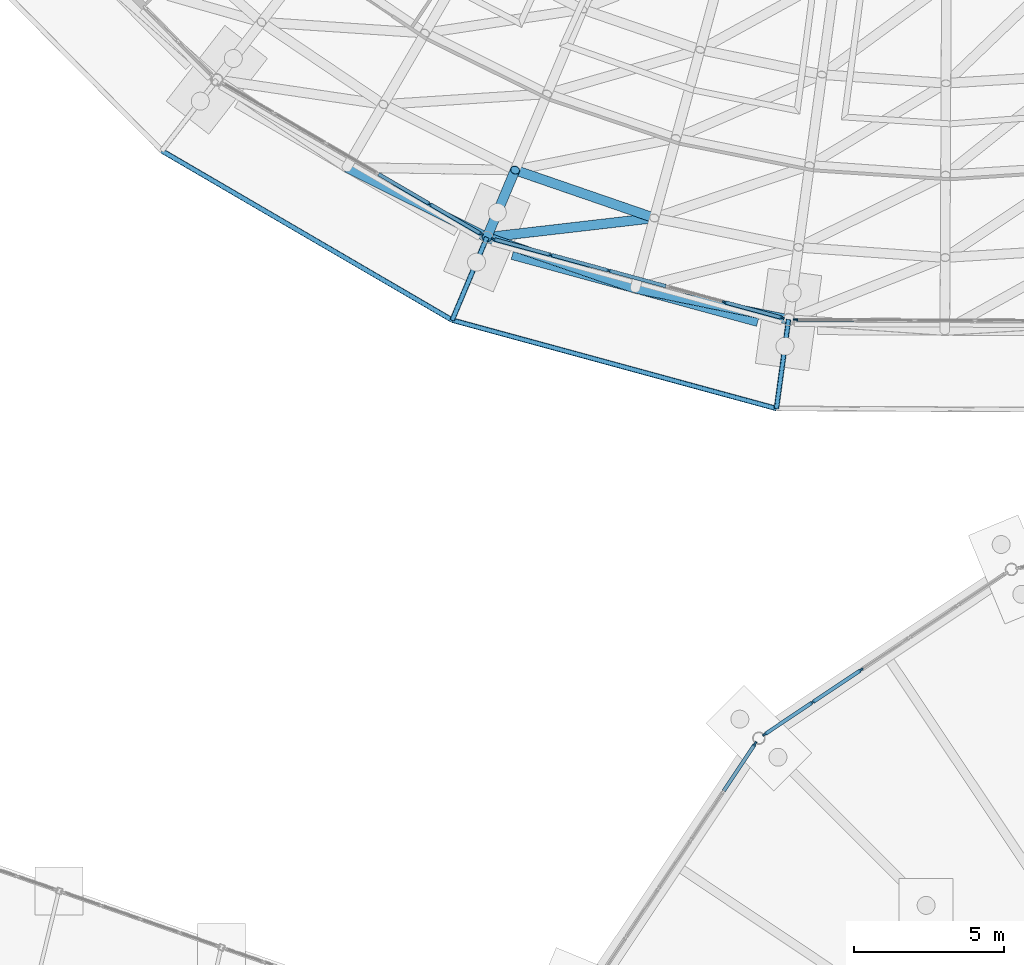
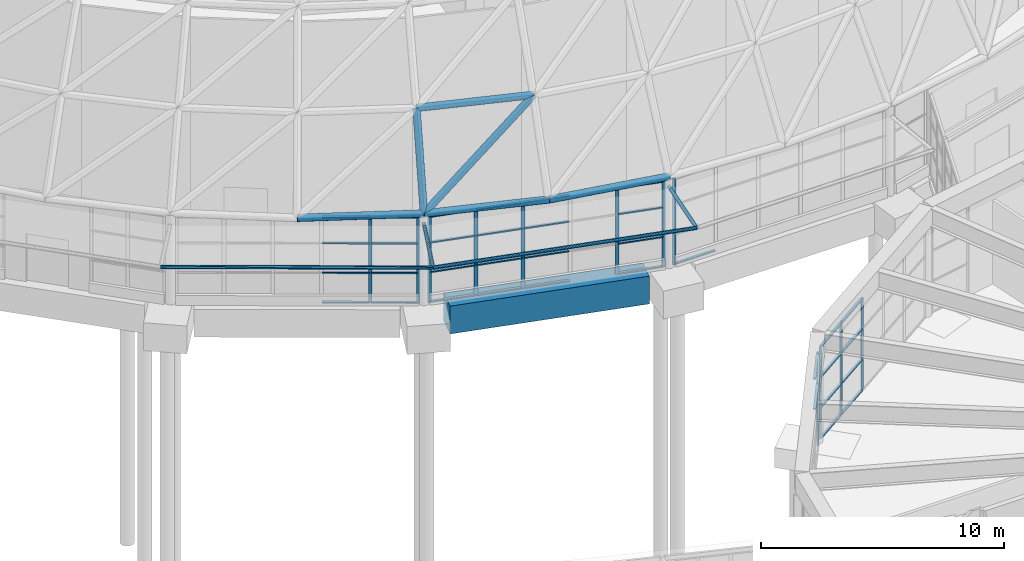
# One storey, part 58 of 226: 57 members, 1 beam, 5 elements without a shape of their own.
"""IFC4 building model written with IfcOpenShell, lengths in metres."""

from ifc_helpers import new_model, si_unit, direction, frame, origin, origin_2d, place, context, subcontext, project, spatial, rectangle, hollow_circle, extrude, material, material_profile, profile_set, type_object, element, aggregate, save


model = new_model("IFC4")

# Units and contexts
model_context = context("Model", 3, precision=1e-05, world=origin(), true_north=direction((0.0, 1.0)))
body_context = subcontext(model_context, "Body", "Model", "MODEL_VIEW")
ifc_project = project(units=[si_unit("LENGTHUNIT", "METRE"), si_unit("AREAUNIT", "SQUARE_METRE"), si_unit("VOLUMEUNIT", "CUBIC_METRE"), si_unit("PLANEANGLEUNIT", "RADIAN"), si_unit("MASSUNIT", "GRAM", prefix="KILO")], contexts=[model_context])

# Site, building, storey
site_placement = place(None, origin())
site = spatial("IfcSite", under=ifc_project, at=site_placement, CompositionType="ELEMENT")
building_placement = place(site_placement, origin())
building = spatial("IfcBuilding", under=site, at=building_placement, Name="Ceibo Conservatory and Research Tower", CompositionType="ELEMENT")
storey_placement = place(building_placement, origin())
storey = spatial("IfcBuildingStorey", under=building, at=storey_placement, Name="L00", CompositionType="ELEMENT", Elevation=0.0)

# Members
ifc_material_1 = material(Name="Steel ASTM A500 Gr C", Category="steel")
ifc_material_profile_1 = material_profile(ifc_material_1, hollow_circle(Radius=0.084228515625, WallThickness=0.007080078125, at=origin_2d()), Name="CHS 168.3x7.11")
ifc_profile_set_1 = profile_set([ifc_material_profile_1], Name="Steel ASTM A500 Gr C")
member_type_1 = type_object("IfcMemberType", Name="CHS 168.3x7.11", PredefinedType="NOTDEFINED", material=ifc_profile_set_1)
for number, where, z_axis, x_axis, name in (
    (1, (140.531494140625, 71.112060546875, 4.0), (-0.386318215821, -0.921245374935, -0.045444419748), (0.922198126706, -0.386717746038, 0.0), "Brim brace bracket A-BK17"),
    (2, (150.60595703125, 68.365478515625, 4.0), (-0.13470516102, -0.98984311441, -0.045443684375), (0.990866776767, -0.134844468553, 0.0), "Brim brace bracket A-BK18"),
):
    element("IfcMember", number, at=place(storey_placement, frame(where, z_axis=z_axis, x_axis=x_axis)), inside=storey, type_object=member_type_1, Name=name, PredefinedType="BRACE", context=body_context, shape_type="SweptSolid", body=[
        extrude(hollow_circle(Radius=0.084228515625, WallThickness=0.007080078125, at=origin_2d()), origin(), (0.0, 0.0, 1.0), 3.003173828125),
    ])
member_1_placement = place(storey_placement, frame((129.674560546875, 74.000244140625, 3.863525390625), z_axis=(0.863843578593, -0.503760133123, 0.0), x_axis=(0.503760133123, 0.863843578593, 0.0)))
element("IfcMember", 3, at=member_1_placement, inside=storey, type_object=member_type_1, Name="Brim tip ring A-TR19", PredefinedType="CHORD", context=body_context, shape_type="SweptSolid", body=[
    extrude(hollow_circle(Radius=0.084228515625, WallThickness=0.007080078125, at=origin_2d()), origin(), (0.0, 0.0, 1.0), 11.22509765625),
])
member_2_placement = place(storey_placement, frame((139.371337890625, 68.345458984375, 3.863525390625), z_axis=(0.964786904954, -0.263032750868, 0.0), x_axis=(0.263032750868, 0.964786904954, 0.0)))
element("IfcMember", 4, at=member_2_placement, inside=storey, type_object=member_type_1, Name="Brim tip ring A-TR20", PredefinedType="CHORD", context=body_context, shape_type="SweptSolid", body=[
    extrude(hollow_circle(Radius=0.084228515625, WallThickness=0.007080078125, at=origin_2d()), origin(), (0.0, 0.0, 1.0), 11.225341796875),
])
ifc_material_profile_2 = material_profile(ifc_material_1, hollow_circle(Radius=0.161865234375, WallThickness=0.01025390625, at=origin_2d()), Name="CHS 323.9x10.31")
ifc_profile_set_2 = profile_set([ifc_material_profile_2], Name="Steel ASTM A500 Gr C")
member_type_2 = type_object("IfcMemberType", Name="CHS 323.9x10.31", PredefinedType="NOTDEFINED", material=ifc_profile_set_2)
member_3_placement = place(storey_placement, frame((141.472900390625, 73.35791015625, 8.115966796875), z_axis=(0.945511761324, -0.325587943876, 0.0), x_axis=(0.325587943876, 0.945511761324, 0.0)))
element("IfcMember", 5, at=member_3_placement, inside=storey, type_object=member_type_2, Name="Gridshell member A-C02-33", PredefinedType="CHORD", context=body_context, shape_type="SweptSolid", body=[
    extrude(hollow_circle(Radius=0.161865234375, WallThickness=0.01025390625, at=origin_2d()), origin(), (0.0, 0.0, 1.0), 4.913818359375),
])
ifc_material_profile_3 = material_profile(ifc_material_1, hollow_circle(Radius=0.161865234375, WallThickness=0.01416015625, at=origin_2d()), Name="CHS 323.9x14.27")
ifc_profile_set_3 = profile_set([ifc_material_profile_3], Name="Steel ASTM A500 Gr C")
member_type_3 = type_object("IfcMemberType", Name="CHS 323.9x14.27", PredefinedType="NOTDEFINED", material=ifc_profile_set_3)
member_4_placement = place(storey_placement, frame((140.531982421875, 71.112060546875, 4.5), z_axis=(0.215836492895, 0.515173818926, 0.829464010448), x_axis=(-0.922324672103, 0.386415837187, 0.0)))
element("IfcMember", 6, at=member_4_placement, inside=storey, type_object=member_type_3, Name="Gridshell member A-M33-01", PredefinedType="RAFTER", context=body_context, shape_type="SweptSolid", body=[
    extrude(hollow_circle(Radius=0.161865234375, WallThickness=0.01416015625, at=origin_2d()), origin(), (0.0, 0.0, 1.0), 4.359375),
])
ifc_material_2 = material(Name="Steel S355J2H", Category="steel")
ifc_material_profile_4 = material_profile(ifc_material_2, hollow_circle(Radius=0.161865234375, WallThickness=0.025390625, at=origin_2d()), Name="CHS 323.9x25.40")
ifc_profile_set_4 = profile_set([ifc_material_profile_4], Name="Steel S355J2H")
member_type_4 = type_object("IfcMemberType", Name="CHS 323.9x25.40", PredefinedType="NOTDEFINED", material=ifc_profile_set_4)
member_5_placement = place(storey_placement, frame((135.84912109375, 73.447021484375, 4.5), z_axis=(0.89492120457, -0.446224201059, 0.0), x_axis=(0.446224201059, 0.89492120457, 0.0)))
element("IfcMember", 7, at=member_5_placement, inside=storey, type_object=member_type_4, Name="Gridshell member A-C01-32", PredefinedType="CHORD", context=body_context, shape_type="SweptSolid", body=[
    extrude(hollow_circle(Radius=0.161865234375, WallThickness=0.025390625, at=origin_2d()), origin(), (0.0, 0.0, 1.0), 5.232666015625),
])
member_6_placement = place(storey_placement, frame((140.531982421875, 71.112060546875, 4.5), z_axis=(0.945534525029, -0.325521830262, 0.0), x_axis=(0.325521830262, 0.945534525029, 0.0)))
element("IfcMember", 8, at=member_6_placement, inside=storey, type_object=member_type_4, Name="Gridshell member A-C01-33", PredefinedType="CHORD", context=body_context, shape_type="SweptSolid", body=[
    extrude(hollow_circle(Radius=0.161865234375, WallThickness=0.025390625, at=origin_2d()), origin(), (0.0, 0.0, 1.0), 5.23193359375),
])
member_7_placement = place(storey_placement, frame((145.47900390625, 69.408935546875, 4.5), z_axis=(0.979892770235, -0.199524832644, 0.0), x_axis=(0.199524832644, 0.979892770235, 0.0)))
element("IfcMember", 9, at=member_7_placement, inside=storey, type_object=member_type_4, Name="Gridshell member A-C01-34", PredefinedType="CHORD", context=body_context, shape_type="SweptSolid", body=[
    extrude(hollow_circle(Radius=0.161865234375, WallThickness=0.025390625, at=origin_2d()), origin(), (0.0, 0.0, 1.0), 5.232177734375),
])
ifc_material_profile_5 = material_profile(ifc_material_1, hollow_circle(Radius=0.161865234375, WallThickness=0.00830078125, at=origin_2d()), Name="CHS 323.9x8.38")
ifc_profile_set_5 = profile_set([ifc_material_profile_5], Name="Steel ASTM A500 Gr C")
member_type_5 = type_object("IfcMemberType", Name="CHS 323.9x8.38", PredefinedType="NOTDEFINED", material=ifc_profile_set_5)
member_8_placement = place(storey_placement, frame((140.531982421875, 71.112060546875, 4.5), z_axis=(0.835580749101, 0.096615393381, 0.540805212154), x_axis=(-0.114861367384, 0.993381531076, 0.0)))
element("IfcMember", 10, at=member_8_placement, inside=storey, type_object=member_type_5, Name="Gridshell diagonal member A-D01-33", PredefinedType="BRACE", context=body_context, shape_type="SweptSolid", body=[
    extrude(hollow_circle(Radius=0.161865234375, WallThickness=0.00830078125, at=origin_2d()), origin(), (0.0, 0.0, 1.0), 6.686279296875),
])

# Curtain wall, members
ifc_material_3 = material(Name="Aluminium and glass", Category="aluminium")
curtain_wall_type_1 = type_object("IfcCurtainWallType", Name="Drum curtain wall", PredefinedType="NOTDEFINED", material=ifc_material_3)
curtain_wall_1_placement = place(storey_placement, origin())
curtain_wall_1 = element("IfcCurtainWall", 11, at=curtain_wall_1_placement, inside=storey, type_object=curtain_wall_type_1, Name="Drum curtain wall A-CW16", PredefinedType="NOTDEFINED")
ifc_material_4 = material(Name="Aluminium", Category="aluminium")
ifc_material_profile_6 = material_profile(ifc_material_4, rectangle(XDim=0.06005859375, YDim=0.159912109375, at=origin_2d()), Name="AL 60x160")
ifc_profile_set_6 = profile_set([ifc_material_profile_6], Name="Aluminium")
member_type_6 = type_object("IfcMemberType", Name="Drum mullion 60x160", PredefinedType="MULLION", material=ifc_profile_set_6)
member_9_placement = place(storey_placement, frame((138.622314453125, 72.2255859375, 0.0), z_axis=(0.0, 0.0, 1.0), x_axis=(0.503773971965, 0.863835508167, 0.0)))
member_9 = element("IfcMember", 12, at=member_9_placement, type_object=member_type_6, Name="A-CW16 mullion 5", PredefinedType="MULLION", context=body_context, shape_type="SweptSolid", body=[
    extrude(rectangle(XDim=0.06005859375, YDim=0.159912109375, at=origin_2d()), origin(), (0.0, 0.0, 1.0), 4.338134765625),
])
member_10_placement = place(storey_placement, frame((140.330078125, 71.2294921875, 0.0), z_axis=(0.0, 0.0, 1.0), x_axis=(0.503773971965, 0.863835508167, 0.0)))
member_10 = element("IfcMember", 13, at=member_10_placement, type_object=member_type_6, Name="A-CW16 mullion 6", PredefinedType="MULLION", context=body_context, shape_type="SweptSolid", body=[
    extrude(rectangle(XDim=0.06005859375, YDim=0.159912109375, at=origin_2d()), origin(), (0.0, 0.0, 1.0), 4.338134765625),
])

curtain_wall_2_placement = place(storey_placement, origin())
curtain_wall_2 = element("IfcCurtainWall", 14, at=curtain_wall_2_placement, inside=storey, type_object=curtain_wall_type_1, Name="Drum curtain wall A-CW17", PredefinedType="NOTDEFINED")
member_11_placement = place(storey_placement, frame((140.756591796875, 71.050537109375, 0.0), z_axis=(0.0, 0.0, 1.0), x_axis=(0.263031218095, 0.964787322837, 0.0)))
member_11 = element("IfcMember", 15, at=member_11_placement, type_object=member_type_6, Name="A-CW17 mullion 1", PredefinedType="MULLION", context=body_context, shape_type="SweptSolid", body=[
    extrude(rectangle(XDim=0.06005859375, YDim=0.159912109375, at=origin_2d()), origin(), (0.0, 0.0, 1.0), 4.338134765625),
])
member_12_placement = place(storey_placement, frame((142.6640625, 70.530517578125, 0.0), z_axis=(0.0, 0.0, 1.0), x_axis=(0.263031218095, 0.964787322837, 0.0)))
member_12 = element("IfcMember", 16, at=member_12_placement, type_object=member_type_6, Name="A-CW17 mullion 2", PredefinedType="MULLION", context=body_context, shape_type="SweptSolid", body=[
    extrude(rectangle(XDim=0.06005859375, YDim=0.159912109375, at=origin_2d()), origin(), (0.0, 0.0, 1.0), 4.338134765625),
])
member_13_placement = place(storey_placement, frame((144.6005859375, 70.002685546875, 0.0), z_axis=(0.0, 0.0, 1.0), x_axis=(0.263031218095, 0.964787322837, 0.0)))
member_13 = element("IfcMember", 17, at=member_13_placement, type_object=member_type_6, Name="A-CW17 mullion 3", PredefinedType="MULLION", context=body_context, shape_type="SweptSolid", body=[
    extrude(rectangle(XDim=0.06005859375, YDim=0.159912109375, at=origin_2d()), origin(), (0.0, 0.0, 1.0), 4.338134765625),
])
member_14_placement = place(storey_placement, frame((148.473388671875, 68.94677734375, 0.0), z_axis=(0.0, 0.0, 1.0), x_axis=(0.263031218095, 0.964787322837, 0.0)))
member_14 = element("IfcMember", 18, at=member_14_placement, type_object=member_type_6, Name="A-CW17 mullion 5", PredefinedType="MULLION", context=body_context, shape_type="SweptSolid", body=[
    extrude(rectangle(XDim=0.06005859375, YDim=0.159912109375, at=origin_2d()), origin(), (0.0, 0.0, 1.0), 4.338134765625),
])
member_15_placement = place(storey_placement, frame((150.380859375, 68.4267578125, 0.0), z_axis=(0.0, 0.0, 1.0), x_axis=(0.263031218095, 0.964787322837, 0.0)))
member_15 = element("IfcMember", 19, at=member_15_placement, type_object=member_type_6, Name="A-CW17 mullion 6", PredefinedType="MULLION", context=body_context, shape_type="SweptSolid", body=[
    extrude(rectangle(XDim=0.06005859375, YDim=0.159912109375, at=origin_2d()), origin(), (0.0, 0.0, 1.0), 4.338134765625),
])

# Curtain wall, member
curtain_wall_3_placement = place(storey_placement, origin())
curtain_wall_3 = element("IfcCurtainWall", 20, at=curtain_wall_3_placement, inside=storey, type_object=curtain_wall_type_1, Name="Drum curtain wall A-CW18", PredefinedType="NOTDEFINED")
member_16_placement = place(storey_placement, frame((150.839111328125, 68.3642578125, 0.0), z_axis=(0.0, 0.0, 1.0), x_axis=(0.004363300488, 0.999990480759, 0.0)))
member_16 = element("IfcMember", 21, at=member_16_placement, type_object=member_type_6, Name="A-CW18 mullion 1", PredefinedType="MULLION", context=body_context, shape_type="SweptSolid", body=[
    extrude(rectangle(XDim=0.06005859375, YDim=0.159912109375, at=origin_2d()), origin(), (0.0, 0.0, 1.0), 4.338134765625),
])

# Member
ifc_material_profile_7 = material_profile(ifc_material_4, rectangle(XDim=0.1201171875, YDim=0.06005859375, at=origin_2d()), Name="AL 60x120")
ifc_profile_set_7 = profile_set([ifc_material_profile_7], Name="Aluminium")
member_type_7 = type_object("IfcMemberType", Name="Drum transom 60x120", PredefinedType="USERDEFINED", material=ifc_profile_set_7)
member_17_placement = place(storey_placement, frame((136.914306640625, 73.221435546875, 0.030029296875), z_axis=(0.863810733905, -0.503816450694, 0.0), x_axis=(0.503816450694, 0.863810733905, 0.0)))
member_17 = element("IfcMember", 22, at=member_17_placement, type_object=member_type_7, Name="A-CW16 transom 4.1", ObjectType="TRANSOM", PredefinedType="USERDEFINED", context=body_context, shape_type="SweptSolid", body=[
    extrude(rectangle(XDim=0.1201171875, YDim=0.06005859375, at=origin_2d()), origin(), (0.0, 0.0, 1.0), 1.947021484375),
])

member_18_placement = place(storey_placement, frame((136.914306640625, 73.221435546875, 1.530029296875), z_axis=(0.863810733905, -0.503816450694, 0.0), x_axis=(0.503816450694, 0.863810733905, 0.0)))
member_18 = element("IfcMember", 23, at=member_18_placement, type_object=member_type_7, Name="A-CW16 transom 4.2", ObjectType="TRANSOM", PredefinedType="USERDEFINED", context=body_context, shape_type="SweptSolid", body=[
    extrude(rectangle(XDim=0.1201171875, YDim=0.06005859375, at=origin_2d()), origin(), (0.0, 0.0, 1.0), 1.947021484375),
])

member_19_placement = place(storey_placement, frame((136.914306640625, 73.221435546875, 3.014892578125), z_axis=(0.863810733905, -0.503816450694, 0.0), x_axis=(0.503816450694, 0.863810733905, 0.0)))
member_19 = element("IfcMember", 24, at=member_19_placement, type_object=member_type_7, Name="A-CW16 transom 4.3", ObjectType="TRANSOM", PredefinedType="USERDEFINED", context=body_context, shape_type="SweptSolid", body=[
    extrude(rectangle(XDim=0.1201171875, YDim=0.06005859375, at=origin_2d()), origin(), (0.0, 0.0, 1.0), 1.947021484375),
])

member_20_placement = place(storey_placement, frame((136.914306640625, 73.221435546875, 4.30810546875), z_axis=(0.863810733905, -0.503816450694, 0.0), x_axis=(0.503816450694, 0.863810733905, 0.0)))
member_20 = element("IfcMember", 25, at=member_20_placement, type_object=member_type_7, Name="A-CW16 transom 4.4", ObjectType="TRANSOM", PredefinedType="USERDEFINED", context=body_context, shape_type="SweptSolid", body=[
    extrude(rectangle(XDim=0.1201171875, YDim=0.06005859375, at=origin_2d()), origin(), (0.0, 0.0, 1.0), 1.947021484375),
])

member_21_placement = place(storey_placement, frame((138.648193359375, 72.21044921875, 0.030029296875), z_axis=(0.863820468427, -0.50379976015, 0.0), x_axis=(0.50379976015, 0.863820468427, 0.0)))
member_21 = element("IfcMember", 26, at=member_21_placement, type_object=member_type_7, Name="A-CW16 transom 5.1", ObjectType="TRANSOM", PredefinedType="USERDEFINED", context=body_context, shape_type="SweptSolid", body=[
    extrude(rectangle(XDim=0.1201171875, YDim=0.06005859375, at=origin_2d()), origin(), (0.0, 0.0, 1.0), 1.9169921875),
])

member_22_placement = place(storey_placement, frame((138.648193359375, 72.21044921875, 1.530029296875), z_axis=(0.863820468427, -0.50379976015, 0.0), x_axis=(0.50379976015, 0.863820468427, 0.0)))
member_22 = element("IfcMember", 27, at=member_22_placement, type_object=member_type_7, Name="A-CW16 transom 5.2", ObjectType="TRANSOM", PredefinedType="USERDEFINED", context=body_context, shape_type="SweptSolid", body=[
    extrude(rectangle(XDim=0.1201171875, YDim=0.06005859375, at=origin_2d()), origin(), (0.0, 0.0, 1.0), 1.9169921875),
])

member_23_placement = place(storey_placement, frame((138.648193359375, 72.21044921875, 3.014892578125), z_axis=(0.863820468427, -0.50379976015, 0.0), x_axis=(0.50379976015, 0.863820468427, 0.0)))
member_23 = element("IfcMember", 28, at=member_23_placement, type_object=member_type_7, Name="A-CW16 transom 5.3", ObjectType="TRANSOM", PredefinedType="USERDEFINED", context=body_context, shape_type="SweptSolid", body=[
    extrude(rectangle(XDim=0.1201171875, YDim=0.06005859375, at=origin_2d()), origin(), (0.0, 0.0, 1.0), 1.9169921875),
])

member_24_placement = place(storey_placement, frame((138.648193359375, 72.21044921875, 4.30810546875), z_axis=(0.863820468427, -0.50379976015, 0.0), x_axis=(0.50379976015, 0.863820468427, 0.0)))
member_24 = element("IfcMember", 29, at=member_24_placement, type_object=member_type_7, Name="A-CW16 transom 5.4", ObjectType="TRANSOM", PredefinedType="USERDEFINED", context=body_context, shape_type="SweptSolid", body=[
    extrude(rectangle(XDim=0.1201171875, YDim=0.06005859375, at=origin_2d()), origin(), (0.0, 0.0, 1.0), 1.9169921875),
])

aggregate(curtain_wall_1, [member_9, member_10, member_17, member_18, member_19, member_20, member_21, member_22, member_23, member_24])

member_25_placement = place(storey_placement, frame((140.785400390625, 71.042724609375, 0.030029296875), z_axis=(0.964802016005, -0.262977318248, 0.0), x_axis=(0.262977318248, 0.964802016005, 0.0)))
member_25 = element("IfcMember", 30, at=member_25_placement, type_object=member_type_7, Name="A-CW17 transom 1.1", ObjectType="TRANSOM", PredefinedType="USERDEFINED", context=body_context, shape_type="SweptSolid", body=[
    extrude(rectangle(XDim=0.1201171875, YDim=0.06005859375, at=origin_2d()), origin(), (0.0, 0.0, 1.0), 1.9169921875),
])

member_26_placement = place(storey_placement, frame((140.785400390625, 71.042724609375, 1.530029296875), z_axis=(0.964802016005, -0.262977318248, 0.0), x_axis=(0.262977318248, 0.964802016005, 0.0)))
member_26 = element("IfcMember", 31, at=member_26_placement, type_object=member_type_7, Name="A-CW17 transom 1.2", ObjectType="TRANSOM", PredefinedType="USERDEFINED", context=body_context, shape_type="SweptSolid", body=[
    extrude(rectangle(XDim=0.1201171875, YDim=0.06005859375, at=origin_2d()), origin(), (0.0, 0.0, 1.0), 1.9169921875),
])

member_27_placement = place(storey_placement, frame((140.785400390625, 71.042724609375, 3.014892578125), z_axis=(0.964802016005, -0.262977318248, 0.0), x_axis=(0.262977318248, 0.964802016005, 0.0)))
member_27 = element("IfcMember", 32, at=member_27_placement, type_object=member_type_7, Name="A-CW17 transom 1.3", ObjectType="TRANSOM", PredefinedType="USERDEFINED", context=body_context, shape_type="SweptSolid", body=[
    extrude(rectangle(XDim=0.1201171875, YDim=0.06005859375, at=origin_2d()), origin(), (0.0, 0.0, 1.0), 1.9169921875),
])

member_28_placement = place(storey_placement, frame((140.785400390625, 71.042724609375, 4.30810546875), z_axis=(0.964802016005, -0.262977318248, 0.0), x_axis=(0.262977318248, 0.964802016005, 0.0)))
member_28 = element("IfcMember", 33, at=member_28_placement, type_object=member_type_7, Name="A-CW17 transom 1.4", ObjectType="TRANSOM", PredefinedType="USERDEFINED", context=body_context, shape_type="SweptSolid", body=[
    extrude(rectangle(XDim=0.1201171875, YDim=0.06005859375, at=origin_2d()), origin(), (0.0, 0.0, 1.0), 1.9169921875),
])

member_29_placement = place(storey_placement, frame((142.693115234375, 70.522705078125, 0.030029296875), z_axis=(0.964775395063, -0.263074964757, 0.0), x_axis=(0.263074964757, 0.964775395063, 0.0)))
member_29 = element("IfcMember", 34, at=member_29_placement, type_object=member_type_7, Name="A-CW17 transom 2.1", ObjectType="TRANSOM", PredefinedType="USERDEFINED", context=body_context, shape_type="SweptSolid", body=[
    extrude(rectangle(XDim=0.1201171875, YDim=0.06005859375, at=origin_2d()), origin(), (0.0, 0.0, 1.0), 1.947021484375),
])

member_30_placement = place(storey_placement, frame((142.693115234375, 70.522705078125, 1.530029296875), z_axis=(0.964775395063, -0.263074964757, 0.0), x_axis=(0.263074964757, 0.964775395063, 0.0)))
member_30 = element("IfcMember", 35, at=member_30_placement, type_object=member_type_7, Name="A-CW17 transom 2.2", ObjectType="TRANSOM", PredefinedType="USERDEFINED", context=body_context, shape_type="SweptSolid", body=[
    extrude(rectangle(XDim=0.1201171875, YDim=0.06005859375, at=origin_2d()), origin(), (0.0, 0.0, 1.0), 1.947021484375),
])

member_31_placement = place(storey_placement, frame((142.693115234375, 70.522705078125, 3.014892578125), z_axis=(0.964775395063, -0.263074964757, 0.0), x_axis=(0.263074964757, 0.964775395063, 0.0)))
member_31 = element("IfcMember", 36, at=member_31_placement, type_object=member_type_7, Name="A-CW17 transom 2.3", ObjectType="TRANSOM", PredefinedType="USERDEFINED", context=body_context, shape_type="SweptSolid", body=[
    extrude(rectangle(XDim=0.1201171875, YDim=0.06005859375, at=origin_2d()), origin(), (0.0, 0.0, 1.0), 1.947021484375),
])

member_32_placement = place(storey_placement, frame((142.693115234375, 70.522705078125, 4.30810546875), z_axis=(0.964775395063, -0.263074964757, 0.0), x_axis=(0.263074964757, 0.964775395063, 0.0)))
member_32 = element("IfcMember", 37, at=member_32_placement, type_object=member_type_7, Name="A-CW17 transom 2.4", ObjectType="TRANSOM", PredefinedType="USERDEFINED", context=body_context, shape_type="SweptSolid", body=[
    extrude(rectangle(XDim=0.1201171875, YDim=0.06005859375, at=origin_2d()), origin(), (0.0, 0.0, 1.0), 1.947021484375),
])

member_33_placement = place(storey_placement, frame((144.62939453125, 69.99462890625, 0.030029296875), z_axis=(0.964815884167, -0.262926433931, 0.0), x_axis=(0.262926433931, 0.964815884167, 0.0)))
member_33 = element("IfcMember", 38, at=member_33_placement, type_object=member_type_7, Name="A-CW17 transom 3.1", ObjectType="TRANSOM", PredefinedType="USERDEFINED", context=body_context, shape_type="SweptSolid", body=[
    extrude(rectangle(XDim=0.1201171875, YDim=0.06005859375, at=origin_2d()), origin(), (0.0, 0.0, 1.0), 1.947265625),
])

member_34_placement = place(storey_placement, frame((144.62939453125, 69.99462890625, 1.530029296875), z_axis=(0.964815884167, -0.262926433931, 0.0), x_axis=(0.262926433931, 0.964815884167, 0.0)))
member_34 = element("IfcMember", 39, at=member_34_placement, type_object=member_type_7, Name="A-CW17 transom 3.2", ObjectType="TRANSOM", PredefinedType="USERDEFINED", context=body_context, shape_type="SweptSolid", body=[
    extrude(rectangle(XDim=0.1201171875, YDim=0.06005859375, at=origin_2d()), origin(), (0.0, 0.0, 1.0), 1.947265625),
])

member_35_placement = place(storey_placement, frame((144.62939453125, 69.99462890625, 3.014892578125), z_axis=(0.964815884167, -0.262926433931, 0.0), x_axis=(0.262926433931, 0.964815884167, 0.0)))
member_35 = element("IfcMember", 40, at=member_35_placement, type_object=member_type_7, Name="A-CW17 transom 3.3", ObjectType="TRANSOM", PredefinedType="USERDEFINED", context=body_context, shape_type="SweptSolid", body=[
    extrude(rectangle(XDim=0.1201171875, YDim=0.06005859375, at=origin_2d()), origin(), (0.0, 0.0, 1.0), 1.947265625),
])

member_36_placement = place(storey_placement, frame((144.62939453125, 69.99462890625, 4.30810546875), z_axis=(0.964815884167, -0.262926433931, 0.0), x_axis=(0.262926433931, 0.964815884167, 0.0)))
member_36 = element("IfcMember", 41, at=member_36_placement, type_object=member_type_7, Name="A-CW17 transom 3.4", ObjectType="TRANSOM", PredefinedType="USERDEFINED", context=body_context, shape_type="SweptSolid", body=[
    extrude(rectangle(XDim=0.1201171875, YDim=0.06005859375, at=origin_2d()), origin(), (0.0, 0.0, 1.0), 1.947265625),
])

member_37_placement = place(storey_placement, frame((148.50244140625, 68.93896484375, 0.030029296875), z_axis=(0.964769698483, -0.263095854945, 0.0), x_axis=(0.263095854945, 0.964769698483, 0.0)))
member_37 = element("IfcMember", 42, at=member_37_placement, type_object=member_type_7, Name="A-CW17 transom 5.1", ObjectType="TRANSOM", PredefinedType="USERDEFINED", context=body_context, shape_type="SweptSolid", body=[
    extrude(rectangle(XDim=0.1201171875, YDim=0.06005859375, at=origin_2d()), origin(), (0.0, 0.0, 1.0), 1.917236328125),
])

member_38_placement = place(storey_placement, frame((148.50244140625, 68.93896484375, 1.530029296875), z_axis=(0.964769698483, -0.263095854945, 0.0), x_axis=(0.263095854945, 0.964769698483, 0.0)))
member_38 = element("IfcMember", 43, at=member_38_placement, type_object=member_type_7, Name="A-CW17 transom 5.2", ObjectType="TRANSOM", PredefinedType="USERDEFINED", context=body_context, shape_type="SweptSolid", body=[
    extrude(rectangle(XDim=0.1201171875, YDim=0.06005859375, at=origin_2d()), origin(), (0.0, 0.0, 1.0), 1.917236328125),
])

member_39_placement = place(storey_placement, frame((148.50244140625, 68.93896484375, 3.014892578125), z_axis=(0.964769698483, -0.263095854945, 0.0), x_axis=(0.263095854945, 0.964769698483, 0.0)))
member_39 = element("IfcMember", 44, at=member_39_placement, type_object=member_type_7, Name="A-CW17 transom 5.3", ObjectType="TRANSOM", PredefinedType="USERDEFINED", context=body_context, shape_type="SweptSolid", body=[
    extrude(rectangle(XDim=0.1201171875, YDim=0.06005859375, at=origin_2d()), origin(), (0.0, 0.0, 1.0), 1.917236328125),
])

member_40_placement = place(storey_placement, frame((148.50244140625, 68.93896484375, 4.30810546875), z_axis=(0.964769698483, -0.263095854945, 0.0), x_axis=(0.263095854945, 0.964769698483, 0.0)))
member_40 = element("IfcMember", 45, at=member_40_placement, type_object=member_type_7, Name="A-CW17 transom 5.4", ObjectType="TRANSOM", PredefinedType="USERDEFINED", context=body_context, shape_type="SweptSolid", body=[
    extrude(rectangle(XDim=0.1201171875, YDim=0.06005859375, at=origin_2d()), origin(), (0.0, 0.0, 1.0), 1.917236328125),
])

aggregate(curtain_wall_2, [member_11, member_12, member_13, member_14, member_15, member_25, member_26, member_27, member_28, member_29, member_30, member_31, member_32, member_33, member_34, member_35, member_36, member_37, member_38, member_39, member_40])

member_41_placement = place(storey_placement, frame((150.869140625, 68.3642578125, 0.030029296875), z_axis=(0.999990627606, -0.004329515006, 0.0), x_axis=(0.004329515006, 0.999990627606, 0.0)))
member_41 = element("IfcMember", 46, at=member_41_placement, type_object=member_type_7, Name="A-CW18 transom 1.1", ObjectType="TRANSOM", PredefinedType="USERDEFINED", context=body_context, shape_type="SweptSolid", body=[
    extrude(rectangle(XDim=0.1201171875, YDim=0.06005859375, at=origin_2d()), origin(), (0.0, 0.0, 1.0), 1.917236328125),
])

aggregate(curtain_wall_3, [member_16, member_41])

# Curtain wall, members
curtain_wall_type_2 = type_object("IfcCurtainWallType", Name="Pavilion curtain wall", PredefinedType="NOTDEFINED", material=ifc_material_3)
curtain_wall_4_placement = place(storey_placement, origin())
curtain_wall_4 = element("IfcCurtainWall", 47, at=curtain_wall_4_placement, inside=storey, type_object=curtain_wall_type_2, Name="Pavilion curtain wall VC-CW06", PredefinedType="NOTDEFINED")
ifc_material_profile_8 = material_profile(ifc_material_4, rectangle(XDim=0.06005859375, YDim=0.159912109375, at=origin_2d()), Name="AL 60x160")
ifc_profile_set_8 = profile_set([ifc_material_profile_8], Name="Aluminium")
member_type_8 = type_object("IfcMemberType", Name="Pavilion mullion 60x160", PredefinedType="MULLION", material=ifc_profile_set_8)
member_42_placement = place(storey_placement, frame((153.02294921875, 56.661865234375, 0.0), z_axis=(0.0, 0.0, 1.0), x_axis=(0.555570267906, -0.831469588992, 0.0)))
member_42 = element("IfcMember", 48, at=member_42_placement, type_object=member_type_8, Name="VC-CW06 mullion 4", PredefinedType="MULLION", context=body_context, shape_type="SweptSolid", body=[
    extrude(rectangle(XDim=0.06005859375, YDim=0.159912109375, at=origin_2d()), origin(), (0.0, 0.0, 1.0), 4.64892578125),
])
member_43_placement = place(storey_placement, frame((151.403564453125, 55.579833984375, 0.0), z_axis=(0.0, 0.0, 1.0), x_axis=(0.555570267906, -0.831469588992, 0.0)))
member_43 = element("IfcMember", 49, at=member_43_placement, type_object=member_type_8, Name="VC-CW06 mullion 5", PredefinedType="MULLION", context=body_context, shape_type="SweptSolid", body=[
    extrude(rectangle(XDim=0.06005859375, YDim=0.159912109375, at=origin_2d()), origin(), (0.0, 0.0, 1.0), 4.64892578125),
])
member_44_placement = place(storey_placement, frame((149.80908203125, 54.514404296875, 0.0), z_axis=(0.0, 0.0, 1.0), x_axis=(0.555570267906, -0.831469588992, 0.0)))
member_44 = element("IfcMember", 50, at=member_44_placement, type_object=member_type_8, Name="VC-CW06 mullion 6", PredefinedType="MULLION", context=body_context, shape_type="SweptSolid", body=[
    extrude(rectangle(XDim=0.06005859375, YDim=0.159912109375, at=origin_2d()), origin(), (0.0, 0.0, 1.0), 4.64892578125),
])

# Curtain wall, member
curtain_wall_5_placement = place(storey_placement, origin())
curtain_wall_5 = element("IfcCurtainWall", 51, at=curtain_wall_5_placement, inside=storey, type_object=curtain_wall_type_2, Name="Pavilion curtain wall VC-CW07", PredefinedType="NOTDEFINED")
member_45_placement = place(storey_placement, frame((149.485595703125, 54.19091796875, 0.0), z_axis=(0.0, 0.0, 1.0), x_axis=(0.831469588992, -0.555570267906, 0.0)))
member_45 = element("IfcMember", 52, at=member_45_placement, type_object=member_type_8, Name="VC-CW07 mullion 1", PredefinedType="MULLION", context=body_context, shape_type="SweptSolid", body=[
    extrude(rectangle(XDim=0.06005859375, YDim=0.159912109375, at=origin_2d()), origin(), (0.0, 0.0, 1.0), 4.64892578125),
])

# Member
ifc_material_profile_9 = material_profile(ifc_material_4, rectangle(XDim=0.1201171875, YDim=0.06005859375, at=origin_2d()), Name="AL 60x120")
ifc_profile_set_9 = profile_set([ifc_material_profile_9], Name="Aluminium")
member_type_9 = type_object("IfcMemberType", Name="Pavilion transom 60x120", PredefinedType="USERDEFINED", material=ifc_profile_set_9)
member_46_placement = place(storey_placement, frame((152.998046875, 56.64501953125, 0.030029296875), z_axis=(-0.831512654794, -0.555505809977, 0.0), x_axis=(0.555505809977, -0.831512654794, 0.0)))
member_46 = element("IfcMember", 53, at=member_46_placement, type_object=member_type_9, Name="VC-CW06 transom 4.1", ObjectType="TRANSOM", PredefinedType="USERDEFINED", context=body_context, shape_type="SweptSolid", body=[
    extrude(rectangle(XDim=0.1201171875, YDim=0.06005859375, at=origin_2d()), origin(), (0.0, 0.0, 1.0), 1.8876953125),
])

member_47_placement = place(storey_placement, frame((152.998046875, 56.64501953125, 1.5810546875), z_axis=(-0.831512654794, -0.555505809977, 0.0), x_axis=(0.555505809977, -0.831512654794, 0.0)))
member_47 = element("IfcMember", 54, at=member_47_placement, type_object=member_type_9, Name="VC-CW06 transom 4.2", ObjectType="TRANSOM", PredefinedType="USERDEFINED", context=body_context, shape_type="SweptSolid", body=[
    extrude(rectangle(XDim=0.1201171875, YDim=0.06005859375, at=origin_2d()), origin(), (0.0, 0.0, 1.0), 1.8876953125),
])

member_48_placement = place(storey_placement, frame((152.998046875, 56.64501953125, 3.114990234375), z_axis=(-0.831512654794, -0.555505809977, 0.0), x_axis=(0.555505809977, -0.831512654794, 0.0)))
member_48 = element("IfcMember", 55, at=member_48_placement, type_object=member_type_9, Name="VC-CW06 transom 4.3", ObjectType="TRANSOM", PredefinedType="USERDEFINED", context=body_context, shape_type="SweptSolid", body=[
    extrude(rectangle(XDim=0.1201171875, YDim=0.06005859375, at=origin_2d()), origin(), (0.0, 0.0, 1.0), 1.8876953125),
])

member_49_placement = place(storey_placement, frame((152.998046875, 56.64501953125, 4.618896484375), z_axis=(-0.831512654794, -0.555505809977, 0.0), x_axis=(0.555505809977, -0.831512654794, 0.0)))
member_49 = element("IfcMember", 56, at=member_49_placement, type_object=member_type_9, Name="VC-CW06 transom 4.4", ObjectType="TRANSOM", PredefinedType="USERDEFINED", context=body_context, shape_type="SweptSolid", body=[
    extrude(rectangle(XDim=0.1201171875, YDim=0.06005859375, at=origin_2d()), origin(), (0.0, 0.0, 1.0), 1.8876953125),
])

member_50_placement = place(storey_placement, frame((151.378662109375, 55.56298828125, 0.030029296875), z_axis=(-0.831503986606, -0.555518784793, 0.0), x_axis=(0.555518784793, -0.831503986606, 0.0)))
member_50 = element("IfcMember", 57, at=member_50_placement, type_object=member_type_9, Name="VC-CW06 transom 5.1", ObjectType="TRANSOM", PredefinedType="USERDEFINED", context=body_context, shape_type="SweptSolid", body=[
    extrude(rectangle(XDim=0.1201171875, YDim=0.06005859375, at=origin_2d()), origin(), (0.0, 0.0, 1.0), 1.857666015625),
])

member_51_placement = place(storey_placement, frame((151.378662109375, 55.56298828125, 1.5810546875), z_axis=(-0.831503986606, -0.555518784793, 0.0), x_axis=(0.555518784793, -0.831503986606, 0.0)))
member_51 = element("IfcMember", 58, at=member_51_placement, type_object=member_type_9, Name="VC-CW06 transom 5.2", ObjectType="TRANSOM", PredefinedType="USERDEFINED", context=body_context, shape_type="SweptSolid", body=[
    extrude(rectangle(XDim=0.1201171875, YDim=0.06005859375, at=origin_2d()), origin(), (0.0, 0.0, 1.0), 1.857666015625),
])

member_52_placement = place(storey_placement, frame((151.378662109375, 55.56298828125, 3.114990234375), z_axis=(-0.831503986606, -0.555518784793, 0.0), x_axis=(0.555518784793, -0.831503986606, 0.0)))
member_52 = element("IfcMember", 59, at=member_52_placement, type_object=member_type_9, Name="VC-CW06 transom 5.3", ObjectType="TRANSOM", PredefinedType="USERDEFINED", context=body_context, shape_type="SweptSolid", body=[
    extrude(rectangle(XDim=0.1201171875, YDim=0.06005859375, at=origin_2d()), origin(), (0.0, 0.0, 1.0), 1.857666015625),
])

member_53_placement = place(storey_placement, frame((151.378662109375, 55.56298828125, 4.618896484375), z_axis=(-0.831503986606, -0.555518784793, 0.0), x_axis=(0.555518784793, -0.831503986606, 0.0)))
member_53 = element("IfcMember", 60, at=member_53_placement, type_object=member_type_9, Name="VC-CW06 transom 5.4", ObjectType="TRANSOM", PredefinedType="USERDEFINED", context=body_context, shape_type="SweptSolid", body=[
    extrude(rectangle(XDim=0.1201171875, YDim=0.06005859375, at=origin_2d()), origin(), (0.0, 0.0, 1.0), 1.857666015625),
])

aggregate(curtain_wall_4, [member_42, member_43, member_44, member_46, member_47, member_48, member_49, member_50, member_51, member_52, member_53])

member_54_placement = place(storey_placement, frame((149.468994140625, 54.166015625, 3.114990234375), z_axis=(-0.555518784793, -0.831503986606, 0.0), x_axis=(0.831503986606, -0.555518784793, 0.0)))
member_54 = element("IfcMember", 61, at=member_54_placement, type_object=member_type_9, Name="VC-CW07 transom 1.3", ObjectType="TRANSOM", PredefinedType="USERDEFINED", context=body_context, shape_type="SweptSolid", body=[
    extrude(rectangle(XDim=0.1201171875, YDim=0.06005859375, at=origin_2d()), origin(), (0.0, 0.0, 1.0), 1.857666015625),
])

member_55_placement = place(storey_placement, frame((149.468994140625, 54.166015625, 4.618896484375), z_axis=(-0.555518784793, -0.831503986606, 0.0), x_axis=(0.831503986606, -0.555518784793, 0.0)))
member_55 = element("IfcMember", 62, at=member_55_placement, type_object=member_type_9, Name="VC-CW07 transom 1.4", ObjectType="TRANSOM", PredefinedType="USERDEFINED", context=body_context, shape_type="SweptSolid", body=[
    extrude(rectangle(XDim=0.1201171875, YDim=0.06005859375, at=origin_2d()), origin(), (0.0, 0.0, 1.0), 1.857666015625),
])

aggregate(curtain_wall_5, [member_45, member_54, member_55])

# Beam
ifc_material_5 = material(Name="Concrete C35/45", Category="concrete")
ifc_material_profile_10 = material_profile(ifc_material_5, rectangle(XDim=1.0, YDim=1.39990234375, at=origin_2d()), Name="RC 1000x1400")
ifc_profile_set_10 = profile_set([ifc_material_profile_10], Name="Concrete C35/45")
beam_type = type_object("IfcBeamType", Name="RC ring beam 1000x1400", PredefinedType="BEAM", material=ifc_profile_set_10)
beam_placement = place(storey_placement, frame((141.471923828125, 70.855712890625, -0.699951171875), z_axis=(0.964787698914, -0.263029838659, 0.0), x_axis=(0.263029838659, 0.964787698914, 0.0)))
element("IfcBeam", 63, at=beam_placement, inside=storey, type_object=beam_type, Name="Drum ring beam A-RB17", PredefinedType="BEAM", context=body_context, shape_type="SweptSolid", body=[
    extrude(rectangle(XDim=1.0, YDim=1.39990234375, at=origin_2d()), origin(), (0.0, 0.0, 1.0), 8.492919921875),
])

save(model, "model.ifc")
